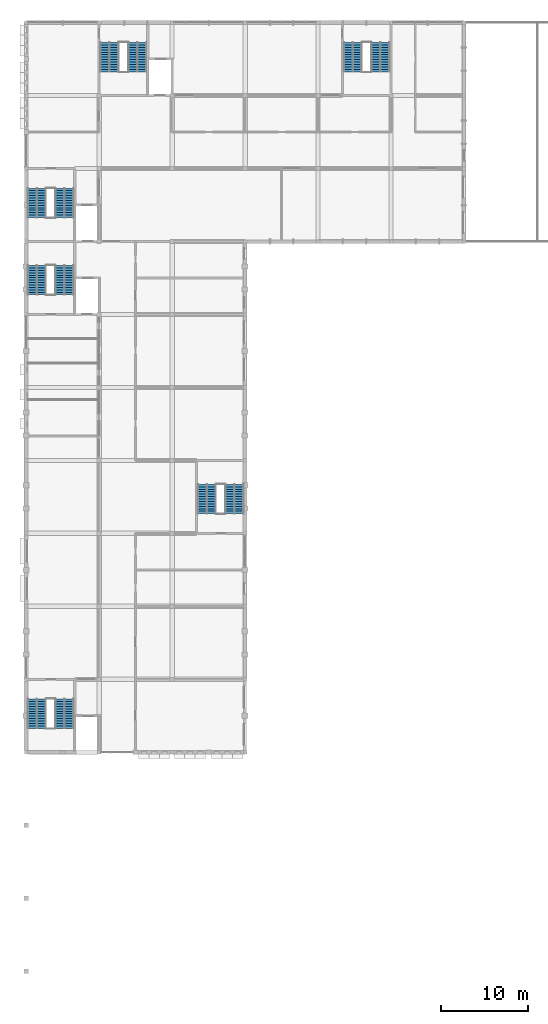
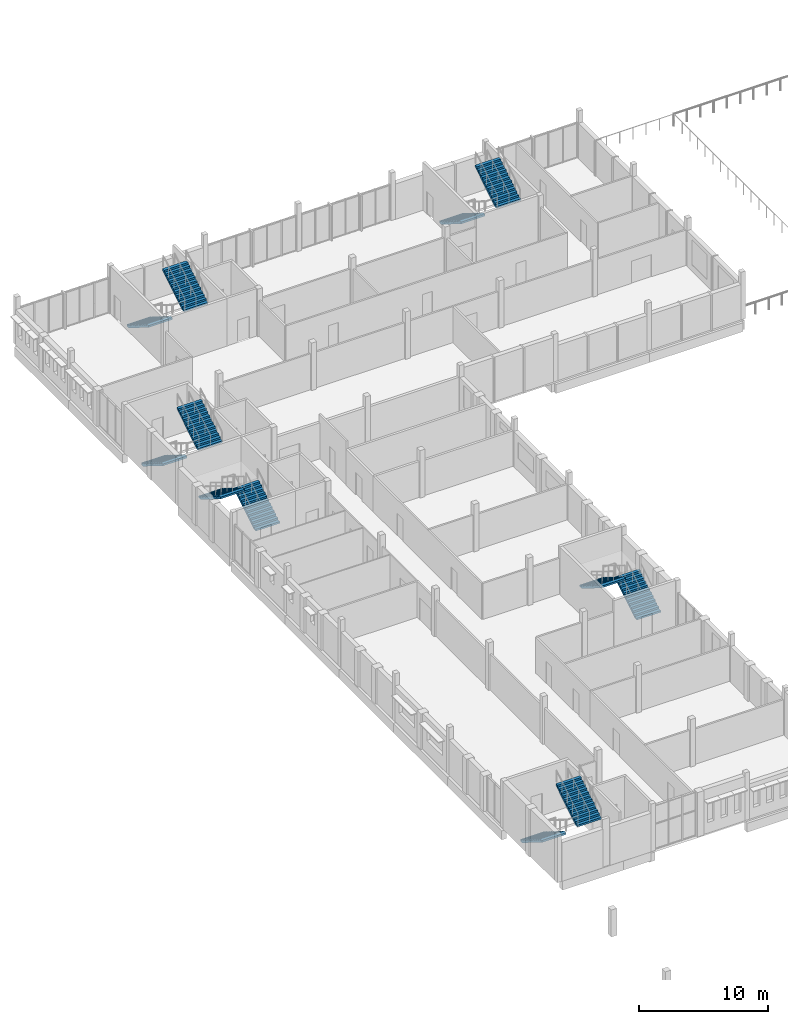
# One storey, part 27 of 30: 12 stair flights, 6 elements without a shape of their own.
"""IFC4 building model written with IfcOpenShell, lengths in metres."""

import ifcopenshell
import ifcopenshell.guid

model = None  # the IFC model being written
_history = None  # IfcOwnerHistory: only IFC2X3 demands one
_inside = {}  # id of a spatial element -> (the spatial element, [elements in it])
_under = {}  # id of a project, library or spatial element -> (it, [spatial elements below it])
_declared = {}  # id of a project -> (the project, [libraries it declares])
_typed = {}  # id of a type object -> (the type object, [elements of that type])
_made_of = {}  # id of a material, layer set ... -> (it, [elements and type objects made of it])


def new_model(schema):
    """Start an empty IFC model of exactly this schema.

    Asked for "IFC4X3", IfcOpenShell would pick the latest addendum, in which some entities
    have other attributes; the version numbers below select the first issue.
    IFC2X3 requires an IfcOwnerHistory on every rooted entity: one is made here for all.
    """
    global model, _history
    if schema == "IFC4X3":
        model = ifcopenshell.file(schema_version=(4, 3, 0, 0))
    else:
        model = ifcopenshell.file(schema=schema)
    _inside.clear()
    _under.clear()
    _declared.clear()
    _typed.clear()
    _made_of.clear()
    _history = None
    if model.schema == "IFC2X3":
        org = make("IfcOrganization", Name="unknown")
        user = make(
            "IfcPersonAndOrganization",
            ThePerson=make("IfcPerson", FamilyName="unknown"),
            TheOrganization=org,
        )
        app = make(
            "IfcApplication",
            ApplicationDeveloper=org,
            Version="unknown",
            ApplicationFullName="unknown",
            ApplicationIdentifier="unknown",
        )
        _history = make(
            "IfcOwnerHistory",
            OwningUser=user,
            OwningApplication=app,
            ChangeAction="ADDED",
            CreationDate=0,
        )
    return model


def make(cls, **values):
    """One entity of the class cls with the attributes given. An attribute that is None is left unset."""
    return model.create_entity(
        cls, **{name: value for name, value in values.items() if value is not None}
    )


def rooted(cls, **values):
    """An entity with a GlobalId (a new one), such as an element, a storey or a relation."""
    return make(cls, GlobalId=ifcopenshell.guid.new(), OwnerHistory=_history, **values)


def si_unit(unit_type, name, prefix=None):
    """IfcSIUnit, for example si_unit("LENGTHUNIT", "METRE", prefix="MILLI")."""
    return make("IfcSIUnit", UnitType=unit_type, Prefix=prefix, Name=name)


def assignment(units):
    """IfcUnitAssignment: the units of a project."""
    return None if units is None else make("IfcUnitAssignment", Units=units)


def point(xyz):
    """IfcCartesianPoint."""
    return None if xyz is None else make("IfcCartesianPoint", Coordinates=xyz)


def direction(xyz):
    """IfcDirection."""
    return None if xyz is None else make("IfcDirection", DirectionRatios=xyz)


def frame(location, z_axis=None, x_axis=None):
    """IfcAxis2Placement3D, a coordinate frame: its origin and axes. An axis left out is left unset."""
    return make(
        "IfcAxis2Placement3D",
        Location=point(location),
        Axis=direction(z_axis),
        RefDirection=direction(x_axis),
    )


def origin():
    """The frame at (0, 0, 0) with its axes left unset."""
    return frame((0.0, 0.0, 0.0))


def place(relative_to, where):
    """IfcLocalPlacement: puts the frame where relative to a parent placement (None: the world)."""
    return make(
        "IfcLocalPlacement", PlacementRelTo=relative_to, RelativePlacement=where
    )


def context(
    kind, dimensions, precision=None, world=None, true_north=None, identifier=None
):
    """IfcGeometricRepresentationContext, for example the 3D "Model" context."""
    return make(
        "IfcGeometricRepresentationContext",
        ContextIdentifier=identifier,
        ContextType=kind,
        CoordinateSpaceDimension=dimensions,
        Precision=precision,
        WorldCoordinateSystem=world,
        TrueNorth=true_north,
    )


def subcontext(parent, identifier, kind, view, scale=None):
    """IfcGeometricRepresentationSubContext, for example "Body" below "Model"."""
    return make(
        "IfcGeometricRepresentationSubContext",
        ContextIdentifier=identifier,
        ContextType=kind,
        ParentContext=parent,
        TargetScale=scale,
        TargetView=view,
    )


def project(units=None, contexts=None):
    """IfcProject with its units and contexts."""
    return rooted(
        "IfcProject",
        Name="project",
        RepresentationContexts=contexts,
        UnitsInContext=assignment(units),
    )


def spatial(cls, under=None, at=None, **own):
    """A site, building, storey or space (cls), placed at a placement, below another one or the project."""
    s = rooted(cls, ObjectPlacement=at, **own)
    if under is not None:
        _under.setdefault(under.id(), (under, []))[1].append(s)
    return s


def polyline(points):
    """IfcPolyline through the points."""
    return make("IfcPolyline", Points=[point(p) for p in points])


def outline(outer, holes=None, kind="AREA"):
    """IfcArbitraryClosedProfileDef: a profile drawn as a closed curve; with holes, ...WithVoids."""
    if holes is None:
        return make("IfcArbitraryClosedProfileDef", ProfileType=kind, OuterCurve=outer)
    return make(
        "IfcArbitraryProfileDefWithVoids",
        ProfileType=kind,
        OuterCurve=outer,
        InnerCurves=holes,
    )


def extrude(swept, where, along, depth):
    """IfcExtrudedAreaSolid: the profile swept, set in the frame where, extruded along a direction by depth."""
    return make(
        "IfcExtrudedAreaSolid",
        SweptArea=swept,
        Position=where,
        ExtrudedDirection=direction(along),
        Depth=depth,
    )


def shape(context_of_items, identifier, shape_type, items):
    """IfcShapeRepresentation: the items that make up one representation, for example the "Body"."""
    return make(
        "IfcShapeRepresentation",
        ContextOfItems=context_of_items,
        RepresentationIdentifier=identifier,
        RepresentationType=shape_type,
        Items=items,
    )


def material(Name=None, Category=None):
    """IfcMaterial."""
    return make("IfcMaterial", Name=Name, Category=Category)


def made_of(thing, what):
    """Note that an element or type object is made of a material, layer set ...; save() writes the relation."""
    if what is not None:
        _made_of.setdefault(what.id(), (what, []))[1].append(thing)
    return thing


def type_object(cls, material=None, **own):
    """A type object (cls), such as IfcWallType, which elements share."""
    return made_of(rooted(cls, **own), material)


def element(
    cls,
    number,
    at=None,
    inside=None,
    cuts=None,
    type_object=None,
    material=None,
    context=None,
    identifier="Body",
    shape_type=None,
    held_by="IfcProductDefinitionShape",
    body=None,
    shapes=None,
    **own,
):
    """One element of the class cls, such as IfcWall. Its Tag is "e" and its number.

    at: its placement. inside: the storey or other place that contains it. cuts: it is an
    opening in that element (IfcRelVoidsElement). A single representation is given by context,
    identifier, shape_type and body (its items); several are given by shapes. held_by: the class
    of the entity that holds the representations. save() writes the other relations.
    """
    e = rooted(cls, Tag="e%d" % number, ObjectPlacement=at, **own)
    if body is not None:
        shapes = [shape(context, identifier, shape_type, body)]
    if shapes is not None:
        e.Representation = make(held_by, Representations=shapes)
    if inside is not None:
        _inside.setdefault(inside.id(), (inside, []))[1].append(e)
    if cuts is not None:
        rooted(
            "IfcRelVoidsElement", RelatingBuildingElement=cuts, RelatedOpeningElement=e
        )
    if type_object is not None:
        _typed.setdefault(type_object.id(), (type_object, []))[1].append(e)
    return made_of(e, material)


def aggregate(whole, parts):
    """IfcRelAggregates: a whole, such as a stair, and the parts it consists of."""
    return rooted("IfcRelAggregates", RelatingObject=whole, RelatedObjects=parts)


def save(model, path):
    """Write the relations noted so far, then the file.

    IfcRelAggregates (storeys below a building ...), IfcRelContainedInSpatialStructure (elements
    in a storey), IfcRelDefinesByType, IfcRelAssociatesMaterial and IfcRelDeclares: one each for
    every whole, place, type object, material and project.
    """
    for whole, parts in _under.values():
        aggregate(whole, parts)
    for where, things in _inside.values():
        rooted(
            "IfcRelContainedInSpatialStructure",
            RelatedElements=things,
            RelatingStructure=where,
        )
    for kind, things in _typed.values():
        rooted("IfcRelDefinesByType", RelatedObjects=things, RelatingType=kind)
    for what, things in _made_of.values():
        rooted("IfcRelAssociatesMaterial", RelatedObjects=things, RelatingMaterial=what)
    for by, libraries in _declared.values():
        rooted("IfcRelDeclares", RelatingContext=by, RelatedDefinitions=libraries)
    model.write(path)


model = new_model("IFC4")

# Units and contexts
model_context = context("Model", 3, precision=1e-05, world=origin(), true_north=direction((0.0, 1.0)))
body_context = subcontext(model_context, "Body", "Model", "MODEL_VIEW")
ifc_project = project(units=[si_unit("LENGTHUNIT", "METRE"), si_unit("AREAUNIT", "SQUARE_METRE"), si_unit("VOLUMEUNIT", "CUBIC_METRE"), si_unit("PLANEANGLEUNIT", "RADIAN"), si_unit("MASSUNIT", "GRAM", prefix="KILO")], contexts=[model_context])

# Site, building, storey
site_placement = place(None, origin())
site = spatial("IfcSite", under=ifc_project, at=site_placement, CompositionType="ELEMENT")
building_placement = place(site_placement, origin())
building = spatial("IfcBuilding", under=site, at=building_placement, Name="Fescue Hill Polytechnic", CompositionType="ELEMENT")
storey_placement = place(building_placement, frame((0.0, 0.0, 22.5)))
storey = spatial("IfcBuildingStorey", under=building, at=storey_placement, Name="L05", CompositionType="ELEMENT", Elevation=22.5)

# Stair, stair flights
ifc_material = material(Name="Concrete 35 MPa", Category="concrete")
stair_type = type_object("IfcStairType", Name="Half-turn stair 2150 flights", PredefinedType="HALF_TURN_STAIR", material=ifc_material)
stair_1_placement = place(storey_placement, origin())
stair_1 = element("IfcStair", 1, at=stair_1_placement, inside=storey, type_object=stair_type, Name="L05 ST-V4-1 stair", PredefinedType="HALF_TURN_STAIR")
stair_flight_type = type_object("IfcStairFlightType", Name="Stair flight 2150 wide", PredefinedType="STRAIGHT", material=ifc_material)
stair_flight_1_placement = place(storey_placement, frame((1.22509765625, 56.52490234375, 0.0), z_axis=(0.0, 0.0, 1.0), x_axis=(0.0, -1.0, 0.0)))
stair_flight_1 = element("IfcStairFlight", 2, at=stair_flight_1_placement, type_object=stair_flight_type, Name="S15 flight 1", NumberOfRisers=13, NumberOfTreads=12, PredefinedType="STRAIGHT", RiserHeight=0.173076923, TreadLength=0.28, context=body_context, shape_type="SweptSolid", body=[
    extrude(outline(polyline([(0.0, 0.0), (0.0, 0.173095703125), (0.280029296875, 0.173095703125), (0.280029296875, 0.34619140625), (0.56005859375, 0.34619140625), (0.56005859375, 0.519287109375), (0.840087890625, 0.519287109375), (0.840087890625, 0.6923828125), (1.1201171875, 0.6923828125), (1.1201171875, 0.865478515625), (1.39990234375, 0.865478515625), (1.39990234375, 1.03857421875), (1.679931640625, 1.03857421875), (1.679931640625, 1.21142578125), (1.9599609375, 1.21142578125), (1.9599609375, 1.384521484375), (2.239990234375, 1.384521484375), (2.239990234375, 1.5576171875), (2.52001953125, 1.5576171875), (2.52001953125, 1.730712890625), (2.800048828125, 1.730712890625), (2.800048828125, 1.90380859375), (3.080078125, 1.90380859375), (3.080078125, 2.076904296875), (3.360107421875, 2.076904296875), (3.360107421875, 2.25), (3.360107421875, 1.900634765625), (0.28515625, 0.0), (0.0, 0.0)])), frame((0.0, 1.074951171875, 0.0), z_axis=(0.0, -1.0, 0.0), x_axis=(1.0, 0.0, 0.0)), (0.0, 0.0, 1.0), 2.14990234375),
])
stair_flight_2_placement = place(storey_placement, frame((4.39990234375, 53.1650390625, 2.25), z_axis=(0.0, 0.0, 1.0), x_axis=(0.0, 1.0, 0.0)))
stair_flight_2 = element("IfcStairFlight", 3, at=stair_flight_2_placement, type_object=stair_flight_type, Name="S15 flight 2", NumberOfRisers=13, NumberOfTreads=12, PredefinedType="STRAIGHT", RiserHeight=0.173076923, TreadLength=0.28, context=body_context, shape_type="SweptSolid", body=[
    extrude(outline(polyline([(0.0, 0.0), (0.0, 0.173095703125), (0.280029296875, 0.173095703125), (0.280029296875, 0.34619140625), (0.56005859375, 0.34619140625), (0.56005859375, 0.519287109375), (0.840087890625, 0.519287109375), (0.840087890625, 0.6923828125), (1.1201171875, 0.6923828125), (1.1201171875, 0.865478515625), (1.39990234375, 0.865478515625), (1.39990234375, 1.03857421875), (1.679931640625, 1.03857421875), (1.679931640625, 1.21142578125), (1.9599609375, 1.21142578125), (1.9599609375, 1.384521484375), (2.239990234375, 1.384521484375), (2.239990234375, 1.5576171875), (2.52001953125, 1.5576171875), (2.52001953125, 1.730712890625), (2.800048828125, 1.730712890625), (2.800048828125, 1.90380859375), (3.080078125, 1.90380859375), (3.080078125, 2.076904296875), (3.360107421875, 2.076904296875), (3.360107421875, 2.25), (3.360107421875, 1.900634765625), (0.28515625, 0.0), (0.0, 0.0)])), frame((0.0, 1.074951171875, 0.0), z_axis=(0.0, -1.0, 0.0), x_axis=(1.0, 0.0, 0.0)), (0.0, 0.0, 1.0), 2.14990234375),
])
aggregate(stair_1, [stair_flight_1, stair_flight_2])

stair_2_placement = place(storey_placement, origin())
stair_2 = element("IfcStair", 4, at=stair_2_placement, inside=storey, type_object=stair_type, Name="L05 ST-V4-2 stair", PredefinedType="HALF_TURN_STAIR")
stair_flight_3_placement = place(storey_placement, frame((4.39990234375, 103.074951171875, 0.0), z_axis=(0.0, 0.0, 1.0), x_axis=(0.0, 1.0, 0.0)))
stair_flight_3 = element("IfcStairFlight", 5, at=stair_flight_3_placement, type_object=stair_flight_type, Name="S16 flight 1", NumberOfRisers=13, NumberOfTreads=12, PredefinedType="STRAIGHT", RiserHeight=0.173076923, TreadLength=0.28, context=body_context, shape_type="SweptSolid", body=[
    extrude(outline(polyline([(0.0, 0.0), (0.0, 0.173095703125), (0.280029296875, 0.173095703125), (0.280029296875, 0.34619140625), (0.56005859375, 0.34619140625), (0.56005859375, 0.519287109375), (0.840087890625, 0.519287109375), (0.840087890625, 0.6923828125), (1.1201171875, 0.6923828125), (1.1201171875, 0.865478515625), (1.39990234375, 0.865478515625), (1.39990234375, 1.03857421875), (1.679931640625, 1.03857421875), (1.679931640625, 1.21142578125), (1.9599609375, 1.21142578125), (1.9599609375, 1.384521484375), (2.239990234375, 1.384521484375), (2.239990234375, 1.5576171875), (2.52001953125, 1.5576171875), (2.52001953125, 1.730712890625), (2.800048828125, 1.730712890625), (2.800048828125, 1.90380859375), (3.080078125, 1.90380859375), (3.080078125, 2.076904296875), (3.360107421875, 2.076904296875), (3.360107421875, 2.25), (3.360107421875, 1.900634765625), (0.28515625, 0.0), (0.0, 0.0)])), frame((0.0, 1.074951171875, 0.0), z_axis=(0.0, -1.0, 0.0), x_axis=(1.0, 0.0, 0.0)), (0.0, 0.0, 1.0), 2.14990234375),
])
stair_flight_4_placement = place(storey_placement, frame((1.22509765625, 106.43505859375, 2.25), z_axis=(0.0, 0.0, 1.0), x_axis=(0.0, -1.0, 0.0)))
stair_flight_4 = element("IfcStairFlight", 6, at=stair_flight_4_placement, type_object=stair_flight_type, Name="S16 flight 2", NumberOfRisers=13, NumberOfTreads=12, PredefinedType="STRAIGHT", RiserHeight=0.173076923, TreadLength=0.28, context=body_context, shape_type="SweptSolid", body=[
    extrude(outline(polyline([(0.0, 0.0), (0.0, 0.173095703125), (0.280029296875, 0.173095703125), (0.280029296875, 0.34619140625), (0.56005859375, 0.34619140625), (0.56005859375, 0.519287109375), (0.840087890625, 0.519287109375), (0.840087890625, 0.6923828125), (1.1201171875, 0.6923828125), (1.1201171875, 0.865478515625), (1.39990234375, 0.865478515625), (1.39990234375, 1.03857421875), (1.679931640625, 1.03857421875), (1.679931640625, 1.21142578125), (1.9599609375, 1.21142578125), (1.9599609375, 1.384521484375), (2.239990234375, 1.384521484375), (2.239990234375, 1.5576171875), (2.52001953125, 1.5576171875), (2.52001953125, 1.730712890625), (2.800048828125, 1.730712890625), (2.800048828125, 1.90380859375), (3.080078125, 1.90380859375), (3.080078125, 2.076904296875), (3.360107421875, 2.076904296875), (3.360107421875, 2.25), (3.360107421875, 1.900634765625), (0.28515625, 0.0), (0.0, 0.0)])), frame((0.0, 1.074951171875, 0.0), z_axis=(0.0, -1.0, 0.0), x_axis=(1.0, 0.0, 0.0)), (0.0, 0.0, 1.0), 2.14990234375),
])
aggregate(stair_2, [stair_flight_3, stair_flight_4])

stair_3_placement = place(storey_placement, origin())
stair_3 = element("IfcStair", 7, at=stair_3_placement, inside=storey, type_object=stair_type, Name="L05 ST-V4-3 stair", PredefinedType="HALF_TURN_STAIR")
stair_flight_5_placement = place(storey_placement, frame((23.97509765625, 77.875, 0.0), z_axis=(0.0, 0.0, 1.0), x_axis=(0.0, 1.0, 0.0)))
stair_flight_5 = element("IfcStairFlight", 8, at=stair_flight_5_placement, type_object=stair_flight_type, Name="S17 flight 1", NumberOfRisers=13, NumberOfTreads=12, PredefinedType="STRAIGHT", RiserHeight=0.173076923, TreadLength=0.28, context=body_context, shape_type="SweptSolid", body=[
    extrude(outline(polyline([(0.0, 0.0), (0.0, 0.173095703125), (0.280029296875, 0.173095703125), (0.280029296875, 0.34619140625), (0.56005859375, 0.34619140625), (0.56005859375, 0.519287109375), (0.840087890625, 0.519287109375), (0.840087890625, 0.6923828125), (1.1201171875, 0.6923828125), (1.1201171875, 0.865478515625), (1.39990234375, 0.865478515625), (1.39990234375, 1.03857421875), (1.679931640625, 1.03857421875), (1.679931640625, 1.21142578125), (1.9599609375, 1.21142578125), (1.9599609375, 1.384521484375), (2.239990234375, 1.384521484375), (2.239990234375, 1.5576171875), (2.52001953125, 1.5576171875), (2.52001953125, 1.730712890625), (2.800048828125, 1.730712890625), (2.800048828125, 1.90380859375), (3.080078125, 1.90380859375), (3.080078125, 2.076904296875), (3.360107421875, 2.076904296875), (3.360107421875, 2.25), (3.360107421875, 1.900634765625), (0.28515625, 0.0), (0.0, 0.0)])), frame((0.0, 1.074951171875, 0.0), z_axis=(0.0, -1.0, 0.0), x_axis=(1.0, 0.0, 0.0)), (0.0, 0.0, 1.0), 2.14990234375),
])
stair_flight_6_placement = place(storey_placement, frame((20.800048828125, 81.235107421875, 2.25), z_axis=(0.0, 0.0, 1.0), x_axis=(0.0, -1.0, 0.0)))
stair_flight_6 = element("IfcStairFlight", 9, at=stair_flight_6_placement, type_object=stair_flight_type, Name="S17 flight 2", NumberOfRisers=13, NumberOfTreads=12, PredefinedType="STRAIGHT", RiserHeight=0.173076923, TreadLength=0.28, context=body_context, shape_type="SweptSolid", body=[
    extrude(outline(polyline([(0.0, 0.0), (0.0, 0.173095703125), (0.280029296875, 0.173095703125), (0.280029296875, 0.34619140625), (0.56005859375, 0.34619140625), (0.56005859375, 0.519287109375), (0.840087890625, 0.519287109375), (0.840087890625, 0.6923828125), (1.1201171875, 0.6923828125), (1.1201171875, 0.865478515625), (1.39990234375, 0.865478515625), (1.39990234375, 1.03857421875), (1.679931640625, 1.03857421875), (1.679931640625, 1.21142578125), (1.9599609375, 1.21142578125), (1.9599609375, 1.384521484375), (2.239990234375, 1.384521484375), (2.239990234375, 1.5576171875), (2.52001953125, 1.5576171875), (2.52001953125, 1.730712890625), (2.800048828125, 1.730712890625), (2.800048828125, 1.90380859375), (3.080078125, 1.90380859375), (3.080078125, 2.076904296875), (3.360107421875, 2.076904296875), (3.360107421875, 2.25), (3.360107421875, 1.900634765625), (0.28515625, 0.0), (0.0, 0.0)])), frame((0.0, 1.074951171875, 0.0), z_axis=(0.0, -1.0, 0.0), x_axis=(1.0, 0.0, 0.0)), (0.0, 0.0, 1.0), 2.14990234375),
])
aggregate(stair_3, [stair_flight_5, stair_flight_6])

stair_4_placement = place(storey_placement, origin())
stair_4 = element("IfcStair", 10, at=stair_4_placement, inside=storey, type_object=stair_type, Name="L05 ST-V5-1 stair", PredefinedType="HALF_TURN_STAIR")
stair_flight_7_placement = place(storey_placement, frame((1.22509765625, 115.324951171875, 0.0), z_axis=(0.0, 0.0, 1.0), x_axis=(0.0, -1.0, 0.0)))
stair_flight_7 = element("IfcStairFlight", 11, at=stair_flight_7_placement, type_object=stair_flight_type, Name="S18 flight 1", NumberOfRisers=13, NumberOfTreads=12, PredefinedType="STRAIGHT", RiserHeight=0.173076923, TreadLength=0.28, context=body_context, shape_type="SweptSolid", body=[
    extrude(outline(polyline([(0.0, 0.0), (0.0, 0.173095703125), (0.280029296875, 0.173095703125), (0.280029296875, 0.34619140625), (0.56005859375, 0.34619140625), (0.56005859375, 0.519287109375), (0.840087890625, 0.519287109375), (0.840087890625, 0.6923828125), (1.1201171875, 0.6923828125), (1.1201171875, 0.865478515625), (1.39990234375, 0.865478515625), (1.39990234375, 1.03857421875), (1.679931640625, 1.03857421875), (1.679931640625, 1.21142578125), (1.9599609375, 1.21142578125), (1.9599609375, 1.384521484375), (2.239990234375, 1.384521484375), (2.239990234375, 1.5576171875), (2.52001953125, 1.5576171875), (2.52001953125, 1.730712890625), (2.800048828125, 1.730712890625), (2.800048828125, 1.90380859375), (3.080078125, 1.90380859375), (3.080078125, 2.076904296875), (3.360107421875, 2.076904296875), (3.360107421875, 2.25), (3.360107421875, 1.900634765625), (0.28515625, 0.0), (0.0, 0.0)])), frame((0.0, 1.074951171875, 0.0), z_axis=(0.0, -1.0, 0.0), x_axis=(1.0, 0.0, 0.0)), (0.0, 0.0, 1.0), 2.14990234375),
])
stair_flight_8_placement = place(storey_placement, frame((4.39990234375, 111.965087890625, 2.25), z_axis=(0.0, 0.0, 1.0), x_axis=(0.0, 1.0, 0.0)))
stair_flight_8 = element("IfcStairFlight", 12, at=stair_flight_8_placement, type_object=stair_flight_type, Name="S18 flight 2", NumberOfRisers=13, NumberOfTreads=12, PredefinedType="STRAIGHT", RiserHeight=0.173076923, TreadLength=0.28, context=body_context, shape_type="SweptSolid", body=[
    extrude(outline(polyline([(0.0, 0.0), (0.0, 0.173095703125), (0.280029296875, 0.173095703125), (0.280029296875, 0.34619140625), (0.56005859375, 0.34619140625), (0.56005859375, 0.519287109375), (0.840087890625, 0.519287109375), (0.840087890625, 0.6923828125), (1.1201171875, 0.6923828125), (1.1201171875, 0.865478515625), (1.39990234375, 0.865478515625), (1.39990234375, 1.03857421875), (1.679931640625, 1.03857421875), (1.679931640625, 1.21142578125), (1.9599609375, 1.21142578125), (1.9599609375, 1.384521484375), (2.239990234375, 1.384521484375), (2.239990234375, 1.5576171875), (2.52001953125, 1.5576171875), (2.52001953125, 1.730712890625), (2.800048828125, 1.730712890625), (2.800048828125, 1.90380859375), (3.080078125, 1.90380859375), (3.080078125, 2.076904296875), (3.360107421875, 2.076904296875), (3.360107421875, 2.25), (3.360107421875, 1.900634765625), (0.28515625, 0.0), (0.0, 0.0)])), frame((0.0, 1.074951171875, 0.0), z_axis=(0.0, -1.0, 0.0), x_axis=(1.0, 0.0, 0.0)), (0.0, 0.0, 1.0), 2.14990234375),
])
aggregate(stair_4, [stair_flight_7, stair_flight_8])

stair_5_placement = place(storey_placement, origin())
stair_5 = element("IfcStair", 13, at=stair_5_placement, inside=storey, type_object=stair_type, Name="L05 ST-V5-2 stair", PredefinedType="HALF_TURN_STAIR")
stair_flight_9_placement = place(storey_placement, frame((37.60009765625, 132.10009765625, 0.0), z_axis=(0.0, 0.0, 1.0), x_axis=(0.0, -1.0, 0.0)))
stair_flight_9 = element("IfcStairFlight", 14, at=stair_flight_9_placement, type_object=stair_flight_type, Name="S19 flight 1", NumberOfRisers=13, NumberOfTreads=12, PredefinedType="STRAIGHT", RiserHeight=0.173076923, TreadLength=0.28, context=body_context, shape_type="SweptSolid", body=[
    extrude(outline(polyline([(0.0, 0.0), (0.0, 0.173095703125), (0.280029296875, 0.173095703125), (0.280029296875, 0.34619140625), (0.56005859375, 0.34619140625), (0.56005859375, 0.519287109375), (0.840087890625, 0.519287109375), (0.840087890625, 0.6923828125), (1.1201171875, 0.6923828125), (1.1201171875, 0.865478515625), (1.39990234375, 0.865478515625), (1.39990234375, 1.03857421875), (1.679931640625, 1.03857421875), (1.679931640625, 1.21142578125), (1.9599609375, 1.21142578125), (1.9599609375, 1.384521484375), (2.239990234375, 1.384521484375), (2.239990234375, 1.5576171875), (2.52001953125, 1.5576171875), (2.52001953125, 1.730712890625), (2.800048828125, 1.730712890625), (2.800048828125, 1.90380859375), (3.080078125, 1.90380859375), (3.080078125, 2.076904296875), (3.360107421875, 2.076904296875), (3.360107421875, 2.25), (3.360107421875, 1.900634765625), (0.28515625, 0.0), (0.0, 0.0)])), frame((0.0, 1.074951171875, 0.0), z_axis=(0.0, -1.0, 0.0), x_axis=(1.0, 0.0, 0.0)), (0.0, 0.0, 1.0), 2.14990234375),
])
stair_flight_10_placement = place(storey_placement, frame((40.800048828125, 128.739990234375, 2.25), z_axis=(0.0, 0.0, 1.0), x_axis=(0.0, 1.0, 0.0)))
stair_flight_10 = element("IfcStairFlight", 15, at=stair_flight_10_placement, type_object=stair_flight_type, Name="S19 flight 2", NumberOfRisers=13, NumberOfTreads=12, PredefinedType="STRAIGHT", RiserHeight=0.173076923, TreadLength=0.28, context=body_context, shape_type="SweptSolid", body=[
    extrude(outline(polyline([(0.0, 0.0), (0.0, 0.173095703125), (0.280029296875, 0.173095703125), (0.280029296875, 0.34619140625), (0.56005859375, 0.34619140625), (0.56005859375, 0.519287109375), (0.840087890625, 0.519287109375), (0.840087890625, 0.6923828125), (1.1201171875, 0.6923828125), (1.1201171875, 0.865478515625), (1.39990234375, 0.865478515625), (1.39990234375, 1.03857421875), (1.679931640625, 1.03857421875), (1.679931640625, 1.21142578125), (1.9599609375, 1.21142578125), (1.9599609375, 1.384521484375), (2.239990234375, 1.384521484375), (2.239990234375, 1.5576171875), (2.52001953125, 1.5576171875), (2.52001953125, 1.730712890625), (2.800048828125, 1.730712890625), (2.800048828125, 1.90380859375), (3.080078125, 1.90380859375), (3.080078125, 2.076904296875), (3.360107421875, 2.076904296875), (3.360107421875, 2.25), (3.360107421875, 1.900634765625), (0.28515625, 0.0), (0.0, 0.0)])), frame((0.0, 1.074951171875, 0.0), z_axis=(0.0, -1.0, 0.0), x_axis=(1.0, 0.0, 0.0)), (0.0, 0.0, 1.0), 2.14990234375),
])
aggregate(stair_5, [stair_flight_9, stair_flight_10])

stair_6_placement = place(storey_placement, origin())
stair_6 = element("IfcStair", 16, at=stair_6_placement, inside=storey, type_object=stair_type, Name="L05 ST-V5-3 stair", PredefinedType="HALF_TURN_STAIR")
stair_flight_11_placement = place(storey_placement, frame((9.60009765625, 132.10009765625, 0.0), z_axis=(0.0, 0.0, 1.0), x_axis=(0.0, -1.0, 0.0)))
stair_flight_11 = element("IfcStairFlight", 17, at=stair_flight_11_placement, type_object=stair_flight_type, Name="S20 flight 1", NumberOfRisers=13, NumberOfTreads=12, PredefinedType="STRAIGHT", RiserHeight=0.173076923, TreadLength=0.28, context=body_context, shape_type="SweptSolid", body=[
    extrude(outline(polyline([(0.0, 0.0), (0.0, 0.173095703125), (0.280029296875, 0.173095703125), (0.280029296875, 0.34619140625), (0.56005859375, 0.34619140625), (0.56005859375, 0.519287109375), (0.840087890625, 0.519287109375), (0.840087890625, 0.6923828125), (1.1201171875, 0.6923828125), (1.1201171875, 0.865478515625), (1.39990234375, 0.865478515625), (1.39990234375, 1.03857421875), (1.679931640625, 1.03857421875), (1.679931640625, 1.21142578125), (1.9599609375, 1.21142578125), (1.9599609375, 1.384521484375), (2.239990234375, 1.384521484375), (2.239990234375, 1.5576171875), (2.52001953125, 1.5576171875), (2.52001953125, 1.730712890625), (2.800048828125, 1.730712890625), (2.800048828125, 1.90380859375), (3.080078125, 1.90380859375), (3.080078125, 2.076904296875), (3.360107421875, 2.076904296875), (3.360107421875, 2.25), (3.360107421875, 1.900634765625), (0.28515625, 0.0), (0.0, 0.0)])), frame((0.0, 1.074951171875, 0.0), z_axis=(0.0, -1.0, 0.0), x_axis=(1.0, 0.0, 0.0)), (0.0, 0.0, 1.0), 2.14990234375),
])
stair_flight_12_placement = place(storey_placement, frame((12.800048828125, 128.739990234375, 2.25), z_axis=(0.0, 0.0, 1.0), x_axis=(0.0, 1.0, 0.0)))
stair_flight_12 = element("IfcStairFlight", 18, at=stair_flight_12_placement, type_object=stair_flight_type, Name="S20 flight 2", NumberOfRisers=13, NumberOfTreads=12, PredefinedType="STRAIGHT", RiserHeight=0.173076923, TreadLength=0.28, context=body_context, shape_type="SweptSolid", body=[
    extrude(outline(polyline([(0.0, 0.0), (0.0, 0.173095703125), (0.280029296875, 0.173095703125), (0.280029296875, 0.34619140625), (0.56005859375, 0.34619140625), (0.56005859375, 0.519287109375), (0.840087890625, 0.519287109375), (0.840087890625, 0.6923828125), (1.1201171875, 0.6923828125), (1.1201171875, 0.865478515625), (1.39990234375, 0.865478515625), (1.39990234375, 1.03857421875), (1.679931640625, 1.03857421875), (1.679931640625, 1.21142578125), (1.9599609375, 1.21142578125), (1.9599609375, 1.384521484375), (2.239990234375, 1.384521484375), (2.239990234375, 1.5576171875), (2.52001953125, 1.5576171875), (2.52001953125, 1.730712890625), (2.800048828125, 1.730712890625), (2.800048828125, 1.90380859375), (3.080078125, 1.90380859375), (3.080078125, 2.076904296875), (3.360107421875, 2.076904296875), (3.360107421875, 2.25), (3.360107421875, 1.900634765625), (0.28515625, 0.0), (0.0, 0.0)])), frame((0.0, 1.074951171875, 0.0), z_axis=(0.0, -1.0, 0.0), x_axis=(1.0, 0.0, 0.0)), (0.0, 0.0, 1.0), 2.14990234375),
])
aggregate(stair_6, [stair_flight_11, stair_flight_12])

save(model, "model.ifc")
